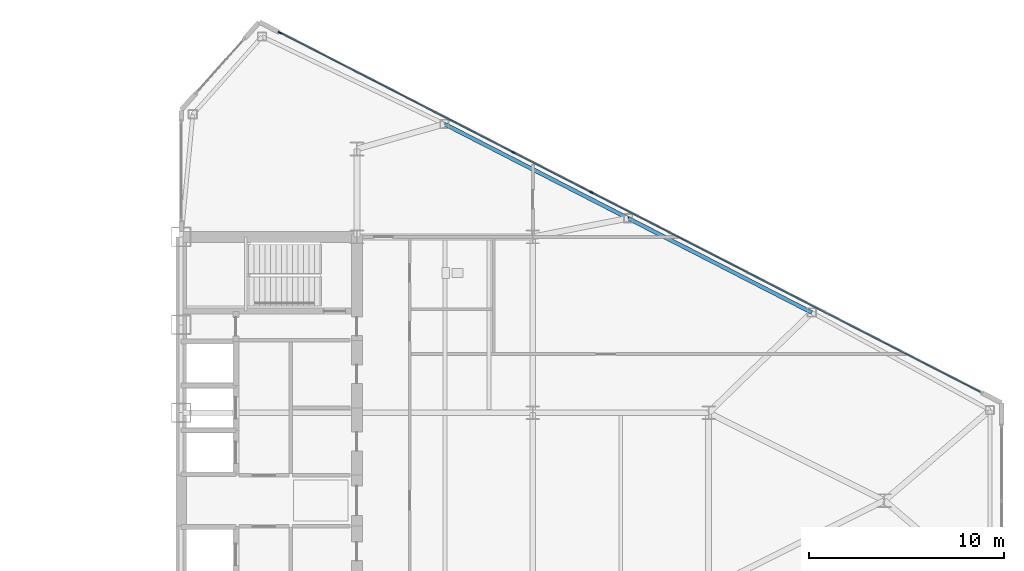
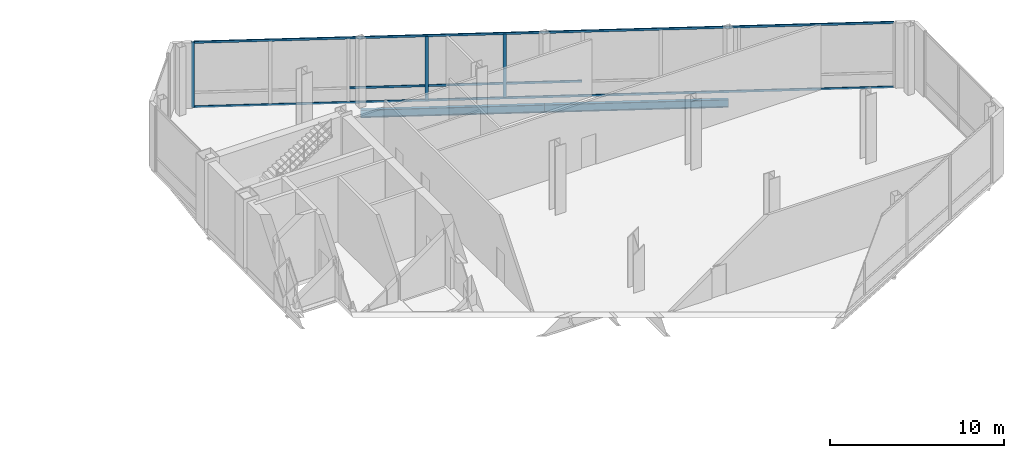
# One storey, part 12 of 22: 8 members, 2 beams, 1 element without a shape of its own.
"""IFC4 building model written with IfcOpenShell, lengths in metres."""

import ifcopenshell
import ifcopenshell.guid

model = None  # the IFC model being written
_history = None  # IfcOwnerHistory: only IFC2X3 demands one
_inside = {}  # id of a spatial element -> (the spatial element, [elements in it])
_under = {}  # id of a project, library or spatial element -> (it, [spatial elements below it])
_declared = {}  # id of a project -> (the project, [libraries it declares])
_typed = {}  # id of a type object -> (the type object, [elements of that type])
_made_of = {}  # id of a material, layer set ... -> (it, [elements and type objects made of it])


def new_model(schema):
    """Start an empty IFC model of exactly this schema.

    Asked for "IFC4X3", IfcOpenShell would pick the latest addendum, in which some entities
    have other attributes; the version numbers below select the first issue.
    IFC2X3 requires an IfcOwnerHistory on every rooted entity: one is made here for all.
    """
    global model, _history
    if schema == "IFC4X3":
        model = ifcopenshell.file(schema_version=(4, 3, 0, 0))
    else:
        model = ifcopenshell.file(schema=schema)
    _inside.clear()
    _under.clear()
    _declared.clear()
    _typed.clear()
    _made_of.clear()
    _history = None
    if model.schema == "IFC2X3":
        org = make("IfcOrganization", Name="unknown")
        user = make(
            "IfcPersonAndOrganization",
            ThePerson=make("IfcPerson", FamilyName="unknown"),
            TheOrganization=org,
        )
        app = make(
            "IfcApplication",
            ApplicationDeveloper=org,
            Version="unknown",
            ApplicationFullName="unknown",
            ApplicationIdentifier="unknown",
        )
        _history = make(
            "IfcOwnerHistory",
            OwningUser=user,
            OwningApplication=app,
            ChangeAction="ADDED",
            CreationDate=0,
        )
    return model


def make(cls, **values):
    """One entity of the class cls with the attributes given. An attribute that is None is left unset."""
    return model.create_entity(
        cls, **{name: value for name, value in values.items() if value is not None}
    )


def rooted(cls, **values):
    """An entity with a GlobalId (a new one), such as an element, a storey or a relation."""
    return make(cls, GlobalId=ifcopenshell.guid.new(), OwnerHistory=_history, **values)


def si_unit(unit_type, name, prefix=None):
    """IfcSIUnit, for example si_unit("LENGTHUNIT", "METRE", prefix="MILLI")."""
    return make("IfcSIUnit", UnitType=unit_type, Prefix=prefix, Name=name)


def assignment(units):
    """IfcUnitAssignment: the units of a project."""
    return None if units is None else make("IfcUnitAssignment", Units=units)


def point(xyz):
    """IfcCartesianPoint."""
    return None if xyz is None else make("IfcCartesianPoint", Coordinates=xyz)


def direction(xyz):
    """IfcDirection."""
    return None if xyz is None else make("IfcDirection", DirectionRatios=xyz)


def frame(location, z_axis=None, x_axis=None):
    """IfcAxis2Placement3D, a coordinate frame: its origin and axes. An axis left out is left unset."""
    return make(
        "IfcAxis2Placement3D",
        Location=point(location),
        Axis=direction(z_axis),
        RefDirection=direction(x_axis),
    )


def frame_2d(location, x_axis=None):
    """IfcAxis2Placement2D, a coordinate frame in the plane: its origin and x axis."""
    return make(
        "IfcAxis2Placement2D", Location=point(location), RefDirection=direction(x_axis)
    )


def origin():
    """The frame at (0, 0, 0) with its axes left unset."""
    return frame((0.0, 0.0, 0.0))


def origin_2d():
    """The frame at (0, 0) in the plane with its x axis left unset."""
    return frame_2d((0.0, 0.0))


def place(relative_to, where):
    """IfcLocalPlacement: puts the frame where relative to a parent placement (None: the world)."""
    return make(
        "IfcLocalPlacement", PlacementRelTo=relative_to, RelativePlacement=where
    )


def context(
    kind, dimensions, precision=None, world=None, true_north=None, identifier=None
):
    """IfcGeometricRepresentationContext, for example the 3D "Model" context."""
    return make(
        "IfcGeometricRepresentationContext",
        ContextIdentifier=identifier,
        ContextType=kind,
        CoordinateSpaceDimension=dimensions,
        Precision=precision,
        WorldCoordinateSystem=world,
        TrueNorth=true_north,
    )


def subcontext(parent, identifier, kind, view, scale=None):
    """IfcGeometricRepresentationSubContext, for example "Body" below "Model"."""
    return make(
        "IfcGeometricRepresentationSubContext",
        ContextIdentifier=identifier,
        ContextType=kind,
        ParentContext=parent,
        TargetScale=scale,
        TargetView=view,
    )


def project(units=None, contexts=None):
    """IfcProject with its units and contexts."""
    return rooted(
        "IfcProject",
        Name="project",
        RepresentationContexts=contexts,
        UnitsInContext=assignment(units),
    )


def spatial(cls, under=None, at=None, **own):
    """A site, building, storey or space (cls), placed at a placement, below another one or the project."""
    s = rooted(cls, ObjectPlacement=at, **own)
    if under is not None:
        _under.setdefault(under.id(), (under, []))[1].append(s)
    return s


def profile(cls, at=None, kind="AREA", **sizes):
    """A parametric profile (cls). Its sizes go by their IFC names, for example OverallWidth=200.0."""
    return make(cls, ProfileType=kind, Position=at, **sizes)


def rectangle(**sizes):
    """IfcRectangleProfileDef."""
    return profile("IfcRectangleProfileDef", **sizes)


def i_section(**sizes):
    """IfcIShapeProfileDef."""
    return profile("IfcIShapeProfileDef", **sizes)


def extrude(swept, where, along, depth):
    """IfcExtrudedAreaSolid: the profile swept, set in the frame where, extruded along a direction by depth."""
    return make(
        "IfcExtrudedAreaSolid",
        SweptArea=swept,
        Position=where,
        ExtrudedDirection=direction(along),
        Depth=depth,
    )


def shape(context_of_items, identifier, shape_type, items):
    """IfcShapeRepresentation: the items that make up one representation, for example the "Body"."""
    return make(
        "IfcShapeRepresentation",
        ContextOfItems=context_of_items,
        RepresentationIdentifier=identifier,
        RepresentationType=shape_type,
        Items=items,
    )


def source(mapping_origin, context_of_items, identifier, shape_type, items):
    """IfcRepresentationMap: a shape defined once, which mapped items show again and again."""
    return make(
        "IfcRepresentationMap",
        MappingOrigin=mapping_origin,
        MappedRepresentation=shape(context_of_items, identifier, shape_type, items),
    )


def transform(
    local_origin,
    x_axis=None,
    y_axis=None,
    z_axis=None,
    scale=None,
    scale2=None,
    scale3=None,
    uniform=True,
):
    """IfcCartesianTransformationOperator3D, or its non-uniform kind. x_axis, y_axis, z_axis: its Axis1, 2, 3."""
    if uniform:
        return make(
            "IfcCartesianTransformationOperator3D",
            Axis1=direction(x_axis),
            Axis2=direction(y_axis),
            LocalOrigin=point(local_origin),
            Scale=scale,
            Axis3=direction(z_axis),
        )
    return make(
        "IfcCartesianTransformationOperator3DnonUniform",
        Axis1=direction(x_axis),
        Axis2=direction(y_axis),
        LocalOrigin=point(local_origin),
        Scale=scale,
        Axis3=direction(z_axis),
        Scale2=scale2,
        Scale3=scale3,
    )


def mapped(mapping_source, mapping_target):
    """IfcMappedItem: shows the shape of a source again, moved by a transform."""
    return make(
        "IfcMappedItem", MappingSource=mapping_source, MappingTarget=mapping_target
    )


def material(Name=None, Category=None):
    """IfcMaterial."""
    return make("IfcMaterial", Name=Name, Category=Category)


def layer(
    of_material, thickness, ventilated=None, Name=None, Category=None, Priority=None
):
    """IfcMaterialLayer: one layer of a wall or slab, of a material (None: an air gap)."""
    return make(
        "IfcMaterialLayer",
        Material=of_material,
        LayerThickness=thickness,
        IsVentilated=ventilated,
        Name=Name,
        Category=Category,
        Priority=Priority,
    )


def layer_set(layers, Name=None):
    """IfcMaterialLayerSet."""
    return make("IfcMaterialLayerSet", MaterialLayers=layers, LayerSetName=Name)


def material_profile(
    of_material, cross_section, Name=None, Category=None, Priority=None
):
    """IfcMaterialProfile: a cross section and its material."""
    return make(
        "IfcMaterialProfile",
        Name=Name,
        Material=of_material,
        Profile=cross_section,
        Priority=Priority,
        Category=Category,
    )


def profile_set(profiles, Name=None, composite=None):
    """IfcMaterialProfileSet."""
    return make(
        "IfcMaterialProfileSet",
        Name=Name,
        MaterialProfiles=profiles,
        CompositeProfile=composite,
    )


def made_of(thing, what):
    """Note that an element or type object is made of a material, layer set ...; save() writes the relation."""
    if what is not None:
        _made_of.setdefault(what.id(), (what, []))[1].append(thing)
    return thing


def type_object(cls, material=None, **own):
    """A type object (cls), such as IfcWallType, which elements share."""
    return made_of(rooted(cls, **own), material)


def type_shapes(of_type, sources):
    """Give a type object the sources (RepresentationMaps) that its elements show as mapped items."""
    of_type.RepresentationMaps = sources


def element(
    cls,
    number,
    at=None,
    inside=None,
    cuts=None,
    type_object=None,
    material=None,
    context=None,
    identifier="Body",
    shape_type=None,
    held_by="IfcProductDefinitionShape",
    body=None,
    shapes=None,
    **own,
):
    """One element of the class cls, such as IfcWall. Its Tag is "e" and its number.

    at: its placement. inside: the storey or other place that contains it. cuts: it is an
    opening in that element (IfcRelVoidsElement). A single representation is given by context,
    identifier, shape_type and body (its items); several are given by shapes. held_by: the class
    of the entity that holds the representations. save() writes the other relations.
    """
    e = rooted(cls, Tag="e%d" % number, ObjectPlacement=at, **own)
    if body is not None:
        shapes = [shape(context, identifier, shape_type, body)]
    if shapes is not None:
        e.Representation = make(held_by, Representations=shapes)
    if inside is not None:
        _inside.setdefault(inside.id(), (inside, []))[1].append(e)
    if cuts is not None:
        rooted(
            "IfcRelVoidsElement", RelatingBuildingElement=cuts, RelatedOpeningElement=e
        )
    if type_object is not None:
        _typed.setdefault(type_object.id(), (type_object, []))[1].append(e)
    return made_of(e, material)


def aggregate(whole, parts):
    """IfcRelAggregates: a whole, such as a stair, and the parts it consists of."""
    return rooted("IfcRelAggregates", RelatingObject=whole, RelatedObjects=parts)


def save(model, path):
    """Write the relations noted so far, then the file.

    IfcRelAggregates (storeys below a building ...), IfcRelContainedInSpatialStructure (elements
    in a storey), IfcRelDefinesByType, IfcRelAssociatesMaterial and IfcRelDeclares: one each for
    every whole, place, type object, material and project.
    """
    for whole, parts in _under.values():
        aggregate(whole, parts)
    for where, things in _inside.values():
        rooted(
            "IfcRelContainedInSpatialStructure",
            RelatedElements=things,
            RelatingStructure=where,
        )
    for kind, things in _typed.values():
        rooted("IfcRelDefinesByType", RelatedObjects=things, RelatingType=kind)
    for what, things in _made_of.values():
        rooted("IfcRelAssociatesMaterial", RelatedObjects=things, RelatingMaterial=what)
    for by, libraries in _declared.values():
        rooted("IfcRelDeclares", RelatingContext=by, RelatedDefinitions=libraries)
    model.write(path)


model = new_model("IFC4")

# Units and contexts
model_context = context("Model", 3, precision=1e-05, world=origin(), true_north=direction((0.0, 1.0)))
body_context = subcontext(model_context, "Body", "Model", "MODEL_VIEW")
ifc_project = project(units=[si_unit("LENGTHUNIT", "METRE"), si_unit("AREAUNIT", "SQUARE_METRE"), si_unit("VOLUMEUNIT", "CUBIC_METRE"), si_unit("PLANEANGLEUNIT", "RADIAN"), si_unit("MASSUNIT", "GRAM", prefix="KILO")], contexts=[model_context])

# Site, building, storey
site_placement = place(None, origin())
site = spatial("IfcSite", under=ifc_project, at=site_placement, CompositionType="ELEMENT")
building_placement = place(site_placement, origin())
building = spatial("IfcBuilding", under=site, at=building_placement, Name="Seokmaru Belvedere", CompositionType="ELEMENT")
storey_placement = place(building_placement, frame((0.0, 0.0, 135.60009765625)))
storey = spatial("IfcBuildingStorey", under=building, at=storey_placement, Name="L36", CompositionType="ELEMENT", Elevation=135.60009765625)

# Beams
ifc_material_1 = material(Name="Steel SM355 (355 MPa)", Category="steel")
ifc_material_profile_1 = material_profile(ifc_material_1, i_section(OverallWidth=0.199951171875, OverallDepth=0.550048828125, WebThickness=0.010009765625, FlangeThickness=0.01611328125, at=origin_2d()), Name="H-550x200x10x16")
ifc_profile_set_1 = profile_set([ifc_material_profile_1], Name="Steel SM355 (355 MPa)")
beam_type = type_object("IfcBeamType", Name="Sky-Lobby Spandrel Beam H-550", PredefinedType="SPANDREL", material=ifc_profile_set_1)
shared_shape_1 = source(origin(), body_context, "Body", "SweptSolid", [
    extrude(i_section(OverallWidth=0.199951171875, OverallDepth=0.550048828125, WebThickness=0.010009765625, FlangeThickness=0.01611328125, at=origin_2d()), origin(), (0.0, 0.0, 1.0), 10.56689453125),
])
type_shapes(beam_type, [shared_shape_1])
for number, where, z_axis, x_axis, name in (
    (1, (40.975830078125, 19.277587890625, -0.53515625), (0.889701972758, -0.45654178305, 0.0), (0.45654178305, 0.889701972758, 0.0), "L36 E Faceted Flank Spandrel N-2"),
    (2, (50.377197265625, 14.453369140625, -0.53515625), (0.889692588006, -0.456560071455, 0.0), (0.456560071455, 0.889692588006, 0.0), "L36 E Faceted Flank Spandrel N-3"),
):
    element("IfcBeam", number, at=place(storey_placement, frame(where, z_axis=z_axis, x_axis=x_axis)), inside=storey, type_object=beam_type, Name=name, PredefinedType="SPANDREL", context=body_context, shape_type="MappedRepresentation", body=[
        mapped(shared_shape_1, transform((0.0, 0.0, 0.0), scale=1.0)),
    ])

# Curtain wall, members
ifc_material_2 = material(Name="Bronze Triple Insulating Glass", Category="glass")
ifc_layer = layer(ifc_material_2, 0.195068359375)
ifc_layer_set = layer_set([ifc_layer], Name="Bronze Triple Insulating Glass")
curtain_wall_type = type_object("IfcCurtainWallType", Name="Sky-Lobby and Mid-Rise Curtain Wall System CW-4", PredefinedType="NOTDEFINED", material=ifc_layer_set)
curtain_wall_placement = place(storey_placement, origin())
curtain_wall = element("IfcCurtainWall", 3, at=curtain_wall_placement, inside=storey, type_object=curtain_wall_type, Name="L36 Curtain Wall EF3", PredefinedType="NOTDEFINED")
ifc_material_3 = material(Name="Anodised Bronze Aluminium", Category="aluminium")
ifc_material_profile_2 = material_profile(ifc_material_3, rectangle(XDim=0.06494140625, YDim=0.14990234375, at=origin_2d()), Name="CW-T-65x150")
ifc_profile_set_2 = profile_set([ifc_material_profile_2], Name="Anodised Bronze Aluminium")
member_type_1 = type_object("IfcMemberType", Name="Bronze Unitised Transom 65x150", PredefinedType="USERDEFINED", material=ifc_profile_set_2)
shared_shape_2 = source(origin(), body_context, "Body", "SweptSolid", [
    extrude(rectangle(XDim=0.06494140625, YDim=0.14990234375, at=origin_2d()), origin(), (0.0, 0.0, 1.0), 40.271240234375),
])
member_1_placement = place(storey_placement, frame((68.41455078125, 5.556884765625, 0.032470703125), z_axis=(-0.889693089107, 0.456559094965, 0.0), x_axis=(-0.456559094965, -0.889693089107, 0.0)))
member_1 = element("IfcMember", 4, at=member_1_placement, type_object=member_type_1, Name="CW:L36:EF3 Continuous Transom 1", ObjectType="TRANSOM", PredefinedType="USERDEFINED", context=body_context, shape_type="MappedRepresentation", body=[
    mapped(shared_shape_2, transform((0.0, 0.0, 0.0), scale=1.0)),
])
member_2_placement = place(storey_placement, frame((68.41455078125, 5.556884765625, 4.54736328125), z_axis=(-0.889693089107, 0.456559094965, 0.0), x_axis=(-0.456559094965, -0.889693089107, 0.0)))
member_2 = element("IfcMember", 5, at=member_2_placement, type_object=member_type_1, Name="CW:L36:EF3 Continuous Transom 2", ObjectType="TRANSOM", PredefinedType="USERDEFINED", context=body_context, shape_type="MappedRepresentation", body=[
    mapped(shared_shape_2, transform((0.0, 0.0, 0.0), scale=1.0)),
])
ifc_material_profile_3 = material_profile(ifc_material_3, rectangle(XDim=0.070068359375, YDim=0.195068359375, at=origin_2d()), Name="CW-M-70x195")
ifc_profile_set_3 = profile_set([ifc_material_profile_3], Name="Anodised Bronze Aluminium")
member_type_2 = type_object("IfcMemberType", Name="Bronze Unitised Mullion 70x195", PredefinedType="MULLION", material=ifc_profile_set_3)
shared_shape_3 = source(origin(), body_context, "Body", "SweptSolid", [
    extrude(rectangle(XDim=0.070068359375, YDim=0.195068359375, at=origin_2d()), origin(), (0.0, 0.0, 1.0), 4.579833984375),
])
member_3_placement = place(storey_placement, frame((32.55419921875, 23.958984375, 0.0), z_axis=(0.0, 0.0, 1.0), x_axis=(-0.456554528263, -0.889695432562, 0.0)))
member_3 = element("IfcMember", 6, at=member_3_placement, type_object=member_type_2, Name="CW:L36:EF3 Mullion 10", PredefinedType="MULLION", context=body_context, shape_type="MappedRepresentation", body=[
    mapped(shared_shape_3, transform((0.0, 0.0, 0.0), scale=1.0)),
])
shared_shape_4 = source(origin(), body_context, "Body", "SweptSolid", [
    extrude(rectangle(XDim=0.070068359375, YDim=0.195068359375, at=origin_2d()), origin(), (0.0, 0.0, 1.0), 4.449951171875),
])
type_shapes(member_type_2, [shared_shape_3, shared_shape_4])
member_4_placement = place(storey_placement, frame((48.502685546875, 15.77490234375, 0.06494140625), z_axis=(0.0, 0.0, 1.0), x_axis=(-0.456554528263, -0.889695432562, 0.0)))
member_4 = element("IfcMember", 7, at=member_4_placement, type_object=member_type_2, Name="CW:L36:EF3 Mullion 6", PredefinedType="MULLION", context=body_context, shape_type="MappedRepresentation", body=[
    mapped(shared_shape_4, transform((0.0, 0.0, 0.0), scale=1.0)),
])
member_5_placement = place(storey_placement, frame((44.5078125, 17.824951171875, 0.06494140625), z_axis=(0.0, 0.0, 1.0), x_axis=(-0.456554528263, -0.889695432562, 0.0)))
member_5 = element("IfcMember", 8, at=member_5_placement, type_object=member_type_2, Name="CW:L36:EF3 Mullion 7", PredefinedType="MULLION", context=body_context, shape_type="MappedRepresentation", body=[
    mapped(shared_shape_4, transform((0.0, 0.0, 0.0), scale=1.0)),
])
shared_shape_5 = source(origin(), body_context, "Body", "SweptSolid", [
    extrude(rectangle(XDim=0.06494140625, YDim=0.14990234375, at=origin_2d()), origin(), (0.0, 0.0, 1.0), 4.420166015625),
])
type_shapes(member_type_1, [shared_shape_2, shared_shape_5])
member_6_placement = place(storey_placement, frame((52.46630859375, 13.740966796875, 1.0498046875), z_axis=(-0.88969437082, 0.456556597293, 0.0), x_axis=(-0.456556597293, -0.88969437082, 0.0)))
member_6 = element("IfcMember", 9, at=member_6_placement, type_object=member_type_1, Name="CW:L36:EF3 Spandrel Transom 5", ObjectType="TRANSOM", PredefinedType="USERDEFINED", context=body_context, shape_type="MappedRepresentation", body=[
    mapped(shared_shape_5, transform((0.0, 0.0, 0.0), scale=1.0)),
])
member_7_placement = place(storey_placement, frame((48.471435546875, 15.791015625, 1.0498046875), z_axis=(-0.88969437082, 0.456556597293, 0.0), x_axis=(-0.456556597293, -0.88969437082, 0.0)))
member_7 = element("IfcMember", 10, at=member_7_placement, type_object=member_type_1, Name="CW:L36:EF3 Spandrel Transom 6", ObjectType="TRANSOM", PredefinedType="USERDEFINED", context=body_context, shape_type="MappedRepresentation", body=[
    mapped(shared_shape_5, transform((0.0, 0.0, 0.0), scale=1.0)),
])
member_8_placement = place(storey_placement, frame((44.4765625, 17.841064453125, 1.0498046875), z_axis=(-0.889716805756, 0.456512875563, 0.0), x_axis=(-0.456512875563, -0.889716805756, 0.0)))
member_8 = element("IfcMember", 11, at=member_8_placement, type_object=member_type_1, Name="CW:L36:EF3 Spandrel Transom 7", ObjectType="TRANSOM", PredefinedType="USERDEFINED", context=body_context, shape_type="MappedRepresentation", body=[
    mapped(shared_shape_5, transform((0.0, 0.0, 0.0), scale=1.0)),
])
aggregate(curtain_wall, [member_4, member_5, member_3, member_1, member_2, member_6, member_7, member_8])

save(model, "model.ifc")
